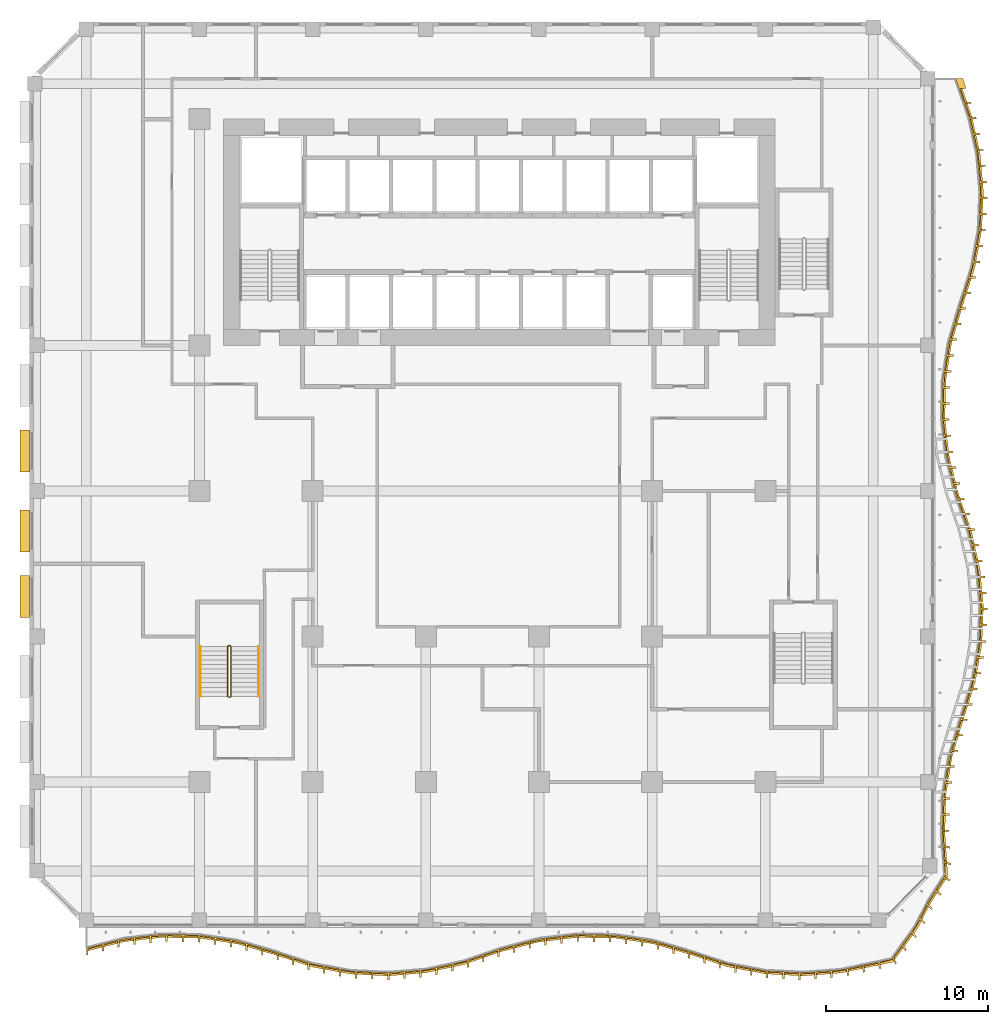
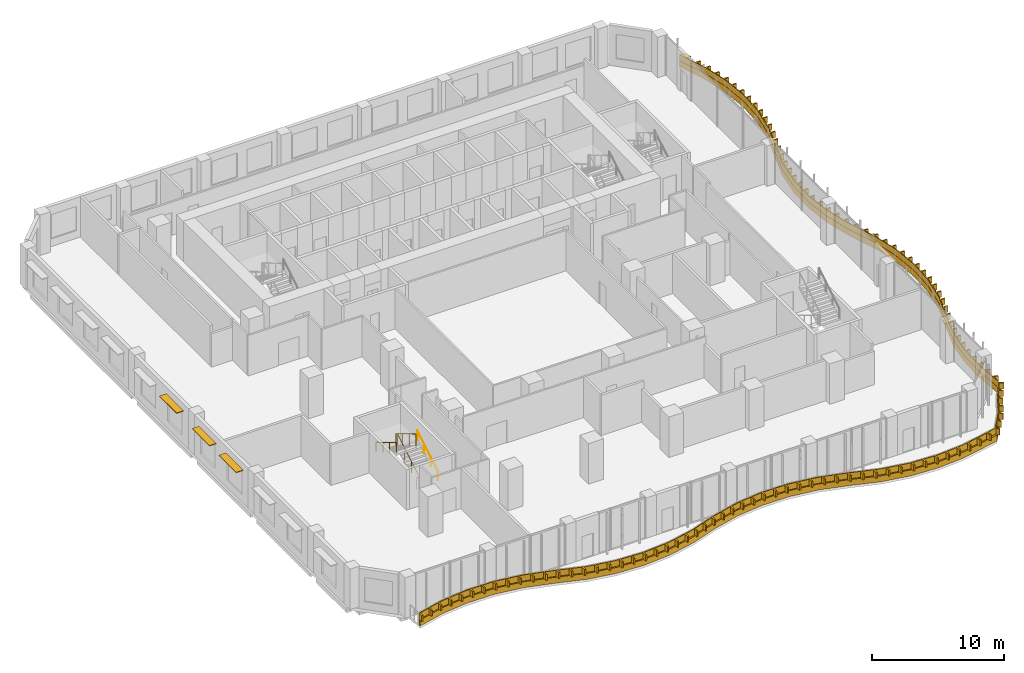
# One storey, part 19 of 24: 5 shading devices, 3 railings.
"""IFC4 building model written with IfcOpenShell, lengths in metres."""

from ifc_helpers import new_model, si_unit, direction, frame, origin, origin_2d, place, context, subcontext, project, spatial, polyline, rectangle, circle, outline, extrude, source, transform, mapped, material, layer, layer_set, type_object, element, save


model = new_model("IFC4")

# Units and contexts
model_context = context("Model", 3, precision=1e-05, world=origin(), true_north=direction((0.0, 1.0)))
body_context = subcontext(model_context, "Body", "Model", "MODEL_VIEW")
ifc_project = project(units=[si_unit("LENGTHUNIT", "METRE"), si_unit("AREAUNIT", "SQUARE_METRE"), si_unit("VOLUMEUNIT", "CUBIC_METRE"), si_unit("PLANEANGLEUNIT", "RADIAN"), si_unit("MASSUNIT", "GRAM", prefix="KILO")], contexts=[model_context])

# Site, building, storey
site_placement = place(None, origin())
site = spatial("IfcSite", under=ifc_project, at=site_placement, CompositionType="ELEMENT")
building_placement = place(site_placement, origin())
building = spatial("IfcBuilding", under=site, at=building_placement, Name="Kilnfold Tower and Market Hall", CompositionType="ELEMENT")
storey_placement = place(building_placement, frame((0.0, 0.0, 35.0)))
storey = spatial("IfcBuildingStorey", under=building, at=storey_placement, Name="L07", CompositionType="ELEMENT", Elevation=35.0)

# Railings
ifc_material_1 = material(Name="Stainless steel 316", Category="steel")
railing_type_1 = type_object("IfcRailingType", Name="CORE STAIR GUARD 1100", PredefinedType="GUARDRAIL", material=ifc_material_1)
railing_1_placement = place(storey_placement, frame((-15.699951171875, -13.75, 0.0)))
element("IfcRailing", 1, at=railing_1_placement, inside=storey, type_object=railing_type_1, Name="L07 ST3 stair guard 1", PredefinedType="GUARDRAIL", context=body_context, shape_type="SweptSolid", body=[
    extrude(circle(Radius=0.02392578125, at=origin_2d()), frame((0.0, 0.0, 1.076171875), z_axis=(1.0, 0.0, 0.0), x_axis=(0.0, 1.0, 0.0)), (0.0, 0.0, 1.0), 0.099853515625),
    extrude(circle(Radius=0.02392578125, at=origin_2d()), frame((0.099853515625, 0.0, 1.076171875), z_axis=(0.27628659633, 0.27628659633, 0.920506074601), x_axis=(-0.707106781187, 0.707106781187, 0.0)), (0.0, 0.0, 1.0), 0.18115234375),
    extrude(circle(Radius=0.02392578125, at=origin_2d()), frame((0.14990234375, 0.050048828125, 1.24267578125), z_axis=(0.0, 0.859290745958, 0.51148745235), x_axis=(-1.0, 0.0, 0.0)), (0.0, 0.0, 1.0), 3.584228515625),
    extrude(circle(Radius=0.02392578125, at=origin_2d()), frame((0.14990234375, 3.1298828125, 3.076171875), z_axis=(-0.707106781187, 0.707106781187, 0.0), x_axis=(-0.707106781187, -0.707106781187, 0.0)), (0.0, 0.0, 1.0), 0.07080078125),
    extrude(circle(Radius=0.02392578125, at=origin_2d()), frame((0.099853515625, 3.179931640625, 3.076171875), z_axis=(-1.0, 0.0, 0.0), x_axis=(0.0, -1.0, 0.0)), (0.0, 0.0, 1.0), 0.099853515625),
    extrude(circle(Radius=0.02392578125, at=origin_2d()), frame((0.0, 3.179931640625, 3.076171875), z_axis=(-0.27628659633, -0.27628659633, 0.920506074601), x_axis=(0.707106781187, -0.707106781187, 0.0)), (0.0, 0.0, 1.0), 0.18115234375),
    extrude(circle(Radius=0.02392578125, at=origin_2d()), frame((-0.050048828125, 3.1298828125, 3.24267578125), z_axis=(0.0, -0.859290745958, 0.51148745235), x_axis=(1.0, 0.0, 0.0)), (0.0, 0.0, 1.0), 3.584228515625),
    extrude(circle(Radius=0.02099609375, at=origin_2d()), origin(), (0.0, 0.0, 1.0), 1.052001953125),
    extrude(circle(Radius=0.02099609375, at=origin_2d()), frame((0.099853515625, 0.0, 0.0)), (0.0, 0.0, 1.0), 1.052001953125),
    extrude(circle(Radius=0.02099609375, at=origin_2d()), frame((0.14990234375, 0.050048828125, 0.166748046875)), (0.0, 0.0, 1.0), 1.052001953125),
    extrude(circle(Radius=0.02099609375, at=origin_2d()), frame((0.14990234375, 1.07666015625, 0.77783203125)), (0.0, 0.0, 1.0), 1.052001953125),
    extrude(circle(Radius=0.02099609375, at=origin_2d()), frame((0.14990234375, 2.103271484375, 1.388916015625)), (0.0, 0.0, 1.0), 1.052001953125),
    extrude(circle(Radius=0.02099609375, at=origin_2d()), frame((0.14990234375, 3.1298828125, 2.0)), (0.0, 0.0, 1.0), 1.052001953125),
    extrude(circle(Radius=0.02099609375, at=origin_2d()), frame((0.099853515625, 3.179931640625, 2.0)), (0.0, 0.0, 1.0), 1.052001953125),
    extrude(circle(Radius=0.02099609375, at=origin_2d()), frame((0.0, 3.179931640625, 2.0)), (0.0, 0.0, 1.0), 1.052001953125),
    extrude(circle(Radius=0.02099609375, at=origin_2d()), frame((-0.050048828125, 3.1298828125, 2.166748046875)), (0.0, 0.0, 1.0), 1.052001953125),
    extrude(circle(Radius=0.02099609375, at=origin_2d()), frame((-0.050048828125, 2.103271484375, 2.77783203125)), (0.0, 0.0, 1.0), 1.052001953125),
    extrude(circle(Radius=0.02099609375, at=origin_2d()), frame((-0.050048828125, 1.07666015625, 3.388916015625)), (0.0, 0.0, 1.0), 1.052001953125),
    extrude(circle(Radius=0.02099609375, at=origin_2d()), frame((-0.050048828125, 0.050048828125, 4.0)), (0.0, 0.0, 1.0), 1.052001953125),
])
ifc_material_2 = material(Name="Stainless steel 316", Category="steel")
railing_type_2 = type_object("IfcRailingType", Name="CORE STAIR HANDRAIL 900", PredefinedType="HANDRAIL", material=ifc_material_2)
railing_2_placement = place(storey_placement, frame((-13.85009765625, -13.699951171875, 0.166748046875)))
element("IfcRailing", 2, at=railing_2_placement, inside=storey, type_object=railing_type_2, Name="L07 ST3 stair handrail 1", PredefinedType="HANDRAIL", context=body_context, shape_type="SweptSolid", body=[
    extrude(circle(Radius=0.02392578125, at=origin_2d()), frame((0.0, 0.0, 0.8759765625), z_axis=(0.0, 0.859290745958, 0.51148745235), x_axis=(-1.0, 0.0, 0.0)), (0.0, 0.0, 1.0), 3.584228515625),
    extrude(circle(Radius=0.02099609375, at=origin_2d()), origin(), (0.0, 0.0, 1.0), 0.851806640625),
    extrude(circle(Radius=0.02099609375, at=origin_2d()), frame((0.0, 1.026611328125, 0.611083984375)), (0.0, 0.0, 1.0), 0.851806640625),
    extrude(circle(Radius=0.02099609375, at=origin_2d()), frame((0.0, 2.05322265625, 1.22216796875)), (0.0, 0.0, 1.0), 0.851806640625),
    extrude(circle(Radius=0.02099609375, at=origin_2d()), frame((0.0, 3.079833984375, 1.833251953125)), (0.0, 0.0, 1.0), 0.851806640625),
])
railing_3_placement = place(storey_placement, frame((-17.449951171875, -10.6201171875, 2.166748046875)))
element("IfcRailing", 3, at=railing_3_placement, inside=storey, type_object=railing_type_2, Name="L07 ST3 stair handrail 2", PredefinedType="HANDRAIL", context=body_context, shape_type="SweptSolid", body=[
    extrude(circle(Radius=0.02392578125, at=origin_2d()), frame((0.0, 0.0, 0.8759765625), z_axis=(0.0, -0.859290745958, 0.51148745235), x_axis=(1.0, 0.0, 0.0)), (0.0, 0.0, 1.0), 3.584228515625),
    extrude(circle(Radius=0.02099609375, at=origin_2d()), origin(), (0.0, 0.0, 1.0), 0.851806640625),
    extrude(circle(Radius=0.02099609375, at=origin_2d()), frame((0.0, -1.026611328125, 0.611083984375)), (0.0, 0.0, 1.0), 0.851806640625),
    extrude(circle(Radius=0.02099609375, at=origin_2d()), frame((0.0, -2.05322265625, 1.22216796875)), (0.0, 0.0, 1.0), 0.851806640625),
    extrude(circle(Radius=0.02099609375, at=origin_2d()), frame((0.0, -3.079833984375, 1.833251953125)), (0.0, 0.0, 1.0), 0.851806640625),
])

# Shading devices
ifc_material_3 = material(Name="Terracotta", Category="masonry")
ifc_layer_1 = layer(ifc_material_3, 0.06005859375)
ifc_layer_set_1 = layer_set([ifc_layer_1], Name="Terracotta")
shading_device_type_1 = type_object("IfcShadingDeviceType", Name="SUNSHADE BLADE 600", PredefinedType="USERDEFINED", material=ifc_layer_set_1)
shared_shape_1 = source(origin(), body_context, "Body", "SweptSolid", [
    extrude(rectangle(XDim=2.60009765625, YDim=0.60009765625, at=origin_2d()), origin(), (0.0, 0.0, 1.0), 0.06005859375),
])
for number, where, z_axis, x_axis, name in (
    (4, (-28.300048828125, 1.47509765625, 3.030029296875), (0.0, 0.0, 1.0), (0.0, -1.0, 0.0), "Sunshade L07 W"),
    (5, (-28.300048828125, -3.47509765625, 3.030029296875), (0.0, 0.0, 1.0), (0.0, -1.0, 0.0), "Sunshade L07 W"),
    (6, (-28.300048828125, -7.52490234375, 3.030029296875), (0.0, 0.0, 1.0), (0.0, -1.0, 0.0), "Sunshade L07 W"),
):
    element("IfcShadingDevice", number, at=place(storey_placement, frame(where, z_axis=z_axis, x_axis=x_axis)), inside=storey, type_object=shading_device_type_1, Name=name, ObjectType="SUNSHADE", PredefinedType="USERDEFINED", context=body_context, shape_type="MappedRepresentation", body=[
        mapped(shared_shape_1, transform((0.0, 0.0, 0.0))),
    ])
ifc_material_4 = material(Name="Precast concrete C50/60", Category="concrete")
ifc_layer_2 = layer(ifc_material_4, 0.550048828125)
ifc_layer_set_2 = layer_set([ifc_layer_2], Name="Precast concrete C50/60")
shading_device_type_2 = type_object("IfcShadingDeviceType", Name="BALCONY UPSTAND 550", PredefinedType="USERDEFINED", material=ifc_layer_set_2)
shared_shape_2 = source(origin(), body_context, "Body", "SweptSolid", [
    extrude(outline(polyline([(-24.5, -29.473388671875), (-22.166748046875, -28.885986328125), (-19.833251953125, -28.6201171875), (-17.5, -28.661865234375), (-15.166748046875, -29.01318359375), (-12.833251953125, -29.693359375), (-10.5, -30.453369140625), (-8.166748046875, -30.8818359375), (-5.833251953125, -30.997802734375), (-3.5, -30.807373046875), (-1.166748046875, -30.300048828125), (1.166748046875, -29.49658203125), (3.5, -28.898681640625), (5.833251953125, -28.623779296875), (8.166748046875, -28.656005859375), (10.5, -28.997802734375), (12.833251953125, -29.66748046875), (15.166748046875, -30.435302734375), (17.5, -30.87353515625), (19.833251953125, -30.998779296875), (22.166748046875, -30.817626953125), (25.387939453125, -30.143798828125), (26.9140625, -28.08056640625), (27.701171875, -26.534423828125), (28.79541015625, -24.829345703125), (28.614013671875, -22.166748046875), (28.67431640625, -19.833251953125), (29.044677734375, -17.5), (29.74609375, -15.166748046875), (30.488525390625, -12.833251953125), (30.897705078125, -10.5), (30.9951171875, -8.166748046875), (30.78564453125, -5.833251953125), (30.258544921875, -3.5), (29.450439453125, -1.166748046875), (28.873291015625, 1.166748046875), (28.616943359375, 3.5), (28.66796875, 5.833251953125), (29.02880859375, 8.166748046875), (29.719482421875, 10.5), (30.47119140625, 12.833251953125), (30.889892578125, 15.166748046875), (30.99658203125, 17.5), (30.796630859375, 19.833251953125), (30.279541015625, 22.166748046875), (29.473388671875, 24.5), (29.2734375, 24.5), (30.07958984375, 22.166748046875), (30.5966796875, 19.833251953125), (30.79638671875, 17.5), (30.68994140625, 15.166748046875), (30.27099609375, 12.833251953125), (29.51953125, 10.5), (28.828857421875, 8.166748046875), (28.468017578125, 5.833251953125), (28.4169921875, 3.5), (28.673095703125, 1.166748046875), (29.25048828125, -1.166748046875), (30.05859375, -3.5), (30.585693359375, -5.833251953125), (30.794921875, -8.166748046875), (30.697509765625, -10.5), (30.28857421875, -12.833251953125), (29.546142578125, -15.166748046875), (28.8447265625, -17.5), (28.47412109375, -19.833251953125), (28.4140625, -22.166748046875), (28.610595703125, -24.7529296875), (27.559814453125, -26.39306640625), (26.772705078125, -27.939208984375), (25.3115234375, -29.958984375), (22.166748046875, -30.61767578125), (19.833251953125, -30.798583984375), (17.5, -30.673583984375), (15.166748046875, -30.235107421875), (12.833251953125, -29.467529296875), (10.5, -28.7978515625), (8.166748046875, -28.4560546875), (5.833251953125, -28.423583984375), (3.5, -28.69873046875), (1.166748046875, -29.29638671875), (-1.166748046875, -30.10009765625), (-3.5, -30.607421875), (-5.833251953125, -30.7978515625), (-8.166748046875, -30.681884765625), (-10.5, -30.25341796875), (-12.833251953125, -29.493408203125), (-15.166748046875, -28.81298828125), (-17.5, -28.4619140625), (-19.833251953125, -28.420166015625), (-22.166748046875, -28.685791015625), (-24.5, -29.2734375), (-24.5, -29.473388671875)])), origin(), (0.0, 0.0, 1.0), 0.550048828125),
])
shading_device_1_placement = place(storey_placement, origin())
element("IfcShadingDevice", 7, at=shading_device_1_placement, inside=storey, type_object=shading_device_type_2, Name="Balcony fascia L07", ObjectType="FASCIA", PredefinedType="USERDEFINED", context=body_context, shape_type="MappedRepresentation", body=[
    mapped(shared_shape_2, transform((0.0, 0.0, 0.0))),
])
ifc_material_5 = material(Name="Bronze anodised aluminium", Category="aluminium")
ifc_layer_3 = layer(ifc_material_5, 0.550048828125)
ifc_layer_set_3 = layer_set([ifc_layer_3], Name="Bronze anodised aluminium")
shading_device_type_3 = type_object("IfcShadingDeviceType", Name="BRONZE SLAT FASCIA 550", PredefinedType="USERDEFINED", material=ifc_layer_set_3)
shared_shape_3 = source(origin(), body_context, "Body", "SweptSolid", [
    extrude(outline(polyline([(-24.5, -29.723388671875), (-24.5, -29.2734375), (-22.166748046875, -28.685791015625), (-19.833251953125, -28.420166015625), (-17.5, -28.4619140625), (-15.166748046875, -28.81298828125), (-12.833251953125, -29.493408203125), (-10.5, -30.25341796875), (-8.166748046875, -30.681884765625), (-5.833251953125, -30.7978515625), (-3.5, -30.607421875), (-1.166748046875, -30.10009765625), (1.166748046875, -29.29638671875), (3.5, -28.69873046875), (5.833251953125, -28.423583984375), (8.166748046875, -28.4560546875), (10.5, -28.7978515625), (12.833251953125, -29.467529296875), (15.166748046875, -30.235107421875), (17.5, -30.673583984375), (19.833251953125, -30.798583984375), (22.166748046875, -30.61767578125), (25.3115234375, -29.958984375), (26.772705078125, -27.939208984375), (27.559814453125, -26.39306640625), (28.610595703125, -24.7529296875), (28.4140625, -22.166748046875), (28.47412109375, -19.833251953125), (28.8447265625, -17.5), (29.546142578125, -15.166748046875), (30.28857421875, -12.833251953125), (30.697509765625, -10.5), (30.794921875, -8.166748046875), (30.585693359375, -5.833251953125), (30.05859375, -3.5), (29.25048828125, -1.166748046875), (28.673095703125, 1.166748046875), (28.4169921875, 3.5), (28.468017578125, 5.833251953125), (28.828857421875, 8.166748046875), (29.51953125, 10.5), (30.27099609375, 12.833251953125), (30.68994140625, 15.166748046875), (30.79638671875, 17.5), (30.5966796875, 19.833251953125), (30.07958984375, 22.166748046875), (29.2734375, 24.5), (29.723388671875, 24.5), (29.931640625, 23.8974609375), (29.5615234375, 23.8974609375), (29.848876953125, 23.065673828125), (30.218994140625, 23.065673828125), (30.258056640625, 22.9521484375), (29.88818359375, 22.9521484375), (30.170166015625, 22.118896484375), (30.5400390625, 22.118896484375), (30.566162109375, 22.001708984375), (30.196044921875, 22.001708984375), (30.386474609375, 21.142578125), (30.756591796875, 21.142578125), (30.782470703125, 21.025390625), (30.412353515625, 21.025390625), (30.602783203125, 20.166259765625), (30.972900390625, 20.166259765625), (30.998779296875, 20.049072265625), (30.62890625, 20.049072265625), (30.73291015625, 19.1767578125), (31.102783203125, 19.1767578125), (31.113037109375, 19.05712890625), (30.7431640625, 19.05712890625), (30.818115234375, 18.180419921875), (31.188232421875, 18.180419921875), (31.198486328125, 18.060791015625), (30.82861328125, 18.060791015625), (30.862060546875, 17.18310546875), (31.23193359375, 17.18310546875), (31.2265625, 17.0634765625), (30.856689453125, 17.0634765625), (30.81640625, 16.184326171875), (31.186279296875, 16.184326171875), (31.180908203125, 16.064453125), (30.810791015625, 16.064453125), (30.770751953125, 15.185302734375), (31.140869140625, 15.185302734375), (31.139892578125, 15.166748046875), (31.1220703125, 15.06689453125), (30.751953125, 15.06689453125), (30.596435546875, 14.20068359375), (30.966552734375, 14.20068359375), (30.9453125, 14.082763671875), (30.5751953125, 14.082763671875), (30.419921875, 13.216552734375), (30.789794921875, 13.216552734375), (30.768798828125, 13.098388671875), (30.398681640625, 13.098388671875), (30.163818359375, 12.251953125), (30.533935546875, 12.251953125), (30.4970703125, 12.1376953125), (30.127197265625, 12.1376953125), (29.857421875, 11.30029296875), (30.227294921875, 11.30029296875), (30.1904296875, 11.18603515625), (29.820556640625, 11.18603515625), (29.554443359375, 10.34716796875), (29.92431640625, 10.34716796875), (29.890380859375, 10.232177734375), (29.520263671875, 10.232177734375), (29.2705078125, 9.38818359375), (29.640380859375, 9.38818359375), (29.6064453125, 9.273193359375), (29.236328125, 9.273193359375), (28.986572265625, 8.429443359375), (29.356689453125, 8.429443359375), (29.322509765625, 8.314453125), (28.952392578125, 8.314453125), (28.7978515625, 7.44921875), (29.167724609375, 7.44921875), (29.1494140625, 7.330810546875), (28.779541015625, 7.330810546875), (28.64501953125, 6.4609375), (29.014892578125, 6.4609375), (28.99658203125, 6.342529296875), (28.626708984375, 6.342529296875), (28.539794921875, 5.468505859375), (28.909912109375, 5.468505859375), (28.9072265625, 5.3486328125), (28.537353515625, 5.3486328125), (28.51806640625, 4.46875), (28.88818359375, 4.46875), (28.885498046875, 4.348876953125), (28.515380859375, 4.348876953125), (28.50048828125, 3.46923828125), (28.870361328125, 3.46923828125), (28.883544921875, 3.35009765625), (28.513427734375, 3.35009765625), (28.609619140625, 2.47509765625), (28.9794921875, 2.47509765625), (28.99267578125, 2.35595703125), (28.62255859375, 2.35595703125), (28.71875, 1.481201171875), (29.088623046875, 1.481201171875), (29.101806640625, 1.36181640625), (28.731689453125, 1.36181640625), (28.91748046875, 0.503173828125), (29.287353515625, 0.503173828125), (29.316162109375, 0.38671875), (28.9462890625, 0.38671875), (29.157470703125, -0.467529296875), (29.527587890625, -0.467529296875), (29.556396484375, -0.583984375), (29.186279296875, -0.583984375), (29.422119140625, -1.43115234375), (29.7919921875, -1.43115234375), (29.831298828125, -1.54443359375), (29.46142578125, -1.54443359375), (29.749267578125, -2.376220703125), (30.119384765625, -2.376220703125), (30.15869140625, -2.489501953125), (29.78857421875, -2.489501953125), (30.07666015625, -3.321044921875), (30.446533203125, -3.321044921875), (30.48583984375, -3.434326171875), (30.115966796875, -3.434326171875), (30.317138671875, -4.290771484375), (30.687255859375, -4.290771484375), (30.713623046875, -4.40771484375), (30.34375, -4.40771484375), (30.53759765625, -5.26611328125), (30.90771484375, -5.26611328125), (30.93408203125, -5.383056640625), (30.56396484375, -5.383056640625), (30.703125, -6.25), (31.072998046875, -6.25), (31.083740234375, -6.36962890625), (30.7138671875, -6.36962890625), (30.79248046875, -7.24609375), (31.162353515625, -7.24609375), (31.173095703125, -7.365478515625), (30.802978515625, -7.365478515625), (30.871826171875, -8.242431640625), (31.24169921875, -8.242431640625), (31.23681640625, -8.3623046875), (30.86669921875, -8.3623046875), (30.830078125, -9.241455078125), (31.2001953125, -9.241455078125), (31.195068359375, -9.361328125), (30.8251953125, -9.361328125), (30.788330078125, -10.240478515625), (31.158447265625, -10.240478515625), (31.1533203125, -10.360595703125), (30.783447265625, -10.360595703125), (30.64990234375, -11.229248046875), (31.019775390625, -11.229248046875), (30.9990234375, -11.347412109375), (30.62890625, -11.347412109375), (30.47705078125, -12.21435546875), (30.84716796875, -12.21435546875), (30.826416015625, -12.33251953125), (30.456298828125, -12.33251953125), (30.255859375, -13.187255859375), (30.6259765625, -13.187255859375), (30.589599609375, -13.3017578125), (30.219482421875, -13.3017578125), (29.95263671875, -14.14013671875), (30.32275390625, -14.14013671875), (30.286376953125, -14.254638671875), (29.916259765625, -14.254638671875), (29.6494140625, -15.09326171875), (30.01953125, -15.09326171875), (29.98388671875, -15.207763671875), (29.61376953125, -15.207763671875), (29.3603515625, -16.050537109375), (29.73046875, -16.050537109375), (29.69580078125, -16.165283203125), (29.325927734375, -16.165283203125), (29.072509765625, -17.008056640625), (29.442626953125, -17.008056640625), (29.407958984375, -17.123046875), (29.0380859375, -17.123046875), (28.848388671875, -17.98046875), (29.218505859375, -17.98046875), (29.19970703125, -18.098876953125), (28.82958984375, -18.098876953125), (28.691650390625, -18.968017578125), (29.0615234375, -18.968017578125), (29.042724609375, -19.08642578125), (28.6728515625, -19.08642578125), (28.551025390625, -19.95703125), (28.9208984375, -19.95703125), (28.91796875, -20.0771484375), (28.5478515625, -20.0771484375), (28.525146484375, -20.956787109375), (28.895263671875, -20.956787109375), (28.89208984375, -21.07666015625), (28.522216796875, -21.07666015625), (28.49951171875, -21.956298828125), (28.869384765625, -21.956298828125), (28.8662109375, -22.076416015625), (28.496337890625, -22.076416015625), (28.54833984375, -22.940673828125), (28.912109375, -22.98291015625), (28.919189453125, -23.10693359375), (28.556884765625, -23.058349609375), (28.61962890625, -23.9208984375), (28.972900390625, -24.016357421875), (28.97998046875, -24.140380859375), (28.62841796875, -24.03857421875), (28.620361328125, -24.882568359375), (28.957763671875, -25.031494140625), (28.889892578125, -25.137451171875), (28.556640625, -24.981201171875), (28.091552734375, -25.703857421875), (28.39111328125, -25.913330078125), (28.322998046875, -26.01904296875), (28.028564453125, -25.802490234375), (27.5732421875, -26.5341796875), (27.8349609375, -26.7958984375), (27.780517578125, -26.902587890625), (27.518798828125, -26.64111328125), (27.119384765625, -27.42529296875), (27.381103515625, -27.68701171875), (27.326904296875, -27.7939453125), (27.065185546875, -27.5322265625), (26.619873046875, -28.280517578125), (26.865478515625, -28.554443359375), (26.790283203125, -28.6533203125), (26.550048828125, -28.375732421875), (26.039794921875, -29.073486328125), (26.239013671875, -29.37939453125), (26.1640625, -29.478515625), (25.970458984375, -29.168701171875), (25.461181640625, -29.868408203125), (25.61279296875, -30.20458984375), (25.53759765625, -30.3037109375), (25.391845703125, -29.964111328125), (24.57568359375, -30.191650390625), (24.68359375, -30.541748046875), (24.562744140625, -30.567138671875), (24.4599609375, -30.215576171875), (23.61083984375, -30.392822265625), (23.67578125, -30.75244140625), (23.5546875, -30.777587890625), (23.4951171875, -30.417236328125), (22.646484375, -30.595947265625), (22.66796875, -30.962890625), (22.546875, -30.98828125), (22.53076171875, -30.62060546875), (21.66552734375, -30.736572265625), (21.66552734375, -31.1064453125), (21.5458984375, -31.11572265625), (21.5458984375, -30.745849609375), (20.66845703125, -30.81396484375), (20.66845703125, -31.183837890625), (20.548828125, -31.193115234375), (20.548828125, -30.8232421875), (19.671142578125, -30.8701171875), (19.671142578125, -31.239990234375), (19.551513671875, -31.233642578125), (19.551513671875, -30.863525390625), (18.672607421875, -30.81640625), (18.672607421875, -31.186279296875), (18.552734375, -31.179931640625), (18.552734375, -30.81005859375), (17.674072265625, -30.7626953125), (17.674072265625, -31.1328125), (17.55419921875, -31.12646484375), (17.55419921875, -30.75634765625), (16.6884765625, -30.60107421875), (16.6884765625, -30.97119140625), (16.570556640625, -30.948974609375), (16.570556640625, -30.578857421875), (15.705810546875, -30.41650390625), (15.705810546875, -30.78662109375), (15.587890625, -30.764404296875), (15.587890625, -30.394287109375), (14.73779296875, -30.174072265625), (14.73779296875, -30.544189453125), (14.623779296875, -30.506591796875), (14.623779296875, -30.13671875), (13.787841796875, -29.861572265625), (13.787841796875, -30.231689453125), (13.673828125, -30.194091796875), (13.673828125, -29.82421875), (12.837890625, -29.549072265625), (12.837890625, -29.919189453125), (12.72265625, -29.8857421875), (12.72265625, -29.515869140625), (11.876708984375, -29.27294921875), (11.876708984375, -29.64306640625), (11.761474609375, -29.60986328125), (11.761474609375, -29.239990234375), (10.91552734375, -28.9970703125), (10.91552734375, -29.3671875), (10.80029296875, -29.333984375), (10.80029296875, -28.964111328125), (9.9384765625, -28.795654296875), (9.9384765625, -29.16552734375), (9.819580078125, -29.148193359375), (9.819580078125, -28.7783203125), (8.948974609375, -28.650634765625), (8.948974609375, -29.020751953125), (8.830078125, -29.00341796875), (8.830078125, -28.63330078125), (7.957275390625, -28.533203125), (7.957275390625, -28.9033203125), (7.83740234375, -28.901611328125), (7.83740234375, -28.531494140625), (6.95751953125, -28.519287109375), (6.95751953125, -28.889404296875), (6.83740234375, -28.8876953125), (6.83740234375, -28.517578125), (5.95751953125, -28.50537109375), (5.95751953125, -28.87548828125), (5.83740234375, -28.873779296875), (5.83740234375, -28.50390625), (4.96337890625, -28.606201171875), (4.96337890625, -28.976318359375), (4.844482421875, -28.990234375), (4.844482421875, -28.620361328125), (3.970458984375, -28.723388671875), (3.970458984375, -29.09326171875), (3.851318359375, -29.107421875), (3.851318359375, -28.7373046875), (2.989990234375, -28.909423828125), (2.989990234375, -29.279296875), (2.873779296875, -29.30908203125), (2.873779296875, -28.939208984375), (2.021484375, -29.15771484375), (2.021484375, -29.527587890625), (1.9052734375, -29.557373046875), (1.9052734375, -29.187255859375), (1.055419921875, -29.414794921875), (1.055419921875, -29.784912109375), (0.94189453125, -29.823974609375), (0.94189453125, -29.453857421875), (0.10986328125, -29.740478515625), (0.10986328125, -30.1103515625), (-0.00341796875, -30.1494140625), (-0.00341796875, -29.779541015625), (-0.835693359375, -30.066162109375), (-0.835693359375, -30.43603515625), (-0.948974609375, -30.47509765625), (-0.948974609375, -30.10498046875), (-1.8017578125, -30.318115234375), (-1.8017578125, -30.68798828125), (-1.9189453125, -30.713623046875), (-1.9189453125, -30.343505859375), (-2.77880859375, -30.530517578125), (-2.77880859375, -30.900390625), (-2.89599609375, -30.926025390625), (-2.89599609375, -30.555908203125), (-3.760986328125, -30.70849609375), (-3.760986328125, -31.07861328125), (-3.880615234375, -31.08837890625), (-3.880615234375, -30.718505859375), (-4.7578125, -30.7900390625), (-4.7578125, -31.159912109375), (-4.87744140625, -31.169921875), (-4.87744140625, -30.7998046875), (-5.75439453125, -30.871337890625), (-5.75439453125, -31.241455078125), (-5.833251953125, -31.247802734375), (-5.874267578125, -31.245849609375), (-5.874267578125, -30.875732421875), (-6.753173828125, -30.83203125), (-6.753173828125, -31.2021484375), (-6.872802734375, -31.196044921875), (-6.872802734375, -30.826171875), (-7.751953125, -30.782470703125), (-7.751953125, -31.15234375), (-7.87158203125, -31.146484375), (-7.87158203125, -30.776611328125), (-8.74169921875, -30.65625), (-8.74169921875, -31.026123046875), (-8.85986328125, -31.00439453125), (-8.85986328125, -30.634521484375), (-9.725341796875, -30.4755859375), (-9.725341796875, -30.845703125), (-9.84326171875, -30.823974609375), (-9.84326171875, -30.453857421875), (-10.701904296875, -30.267578125), (-10.701904296875, -30.637451171875), (-10.81591796875, -30.600341796875), (-10.81591796875, -30.23046875), (-11.652587890625, -29.9580078125), (-11.652587890625, -30.327880859375), (-11.766845703125, -30.290771484375), (-11.766845703125, -29.920654296875), (-12.603515625, -29.648193359375), (-12.603515625, -30.018310546875), (-12.7177734375, -29.981201171875), (-12.7177734375, -29.611083984375), (-13.561279296875, -29.361083984375), (-13.561279296875, -29.731201171875), (-13.676513671875, -29.697509765625), (-13.676513671875, -29.327392578125), (-14.521484375, -29.081298828125), (-14.521484375, -29.451171875), (-14.63671875, -29.41748046875), (-14.63671875, -29.047607421875), (-15.490966796875, -28.84423828125), (-15.490966796875, -29.21435546875), (-15.609619140625, -29.1962890625), (-15.609619140625, -28.826416015625), (-16.479736328125, -28.695556640625), (-16.479736328125, -29.0654296875), (-16.598388671875, -29.047607421875), (-16.598388671875, -28.677490234375), (-17.468505859375, -28.546630859375), (-17.468505859375, -28.91650390625), (-17.58837890625, -28.910400390625), (-17.58837890625, -28.540283203125), (-18.468017578125, -28.524658203125), (-18.468017578125, -28.89453125), (-18.588134765625, -28.892578125), (-18.588134765625, -28.5224609375), (-19.468017578125, -28.506591796875), (-19.468017578125, -28.876708984375), (-19.587890625, -28.87451171875), (-19.587890625, -28.504638671875), (-20.4638671875, -28.572021484375), (-20.4638671875, -28.94189453125), (-20.5830078125, -28.95556640625), (-20.5830078125, -28.585693359375), (-21.45751953125, -28.68505859375), (-21.45751953125, -29.05517578125), (-21.57666015625, -29.068603515625), (-21.57666015625, -28.69873046875), (-22.444091796875, -28.835693359375), (-22.444091796875, -29.205810546875), (-22.560546875, -29.235107421875), (-22.560546875, -28.864990234375), (-23.413818359375, -29.079833984375), (-23.413818359375, -29.449951171875), (-23.5302734375, -29.479248046875), (-23.5302734375, -29.109130859375), (-24.383544921875, -29.32421875), (-24.383544921875, -29.694091796875), (-24.5, -29.723388671875)])), origin(), (0.0, 0.0, 1.0), 0.550048828125),
])
shading_device_2_placement = place(storey_placement, frame((0.0, 0.0, 0.550048828125)))
element("IfcShadingDevice", 8, at=shading_device_2_placement, inside=storey, type_object=shading_device_type_3, Name="Balcony slat fascia L07", ObjectType="SLAT", PredefinedType="USERDEFINED", context=body_context, shape_type="MappedRepresentation", body=[
    mapped(shared_shape_3, transform((0.0, 0.0, 0.0))),
])

save(model, "model.ifc")
